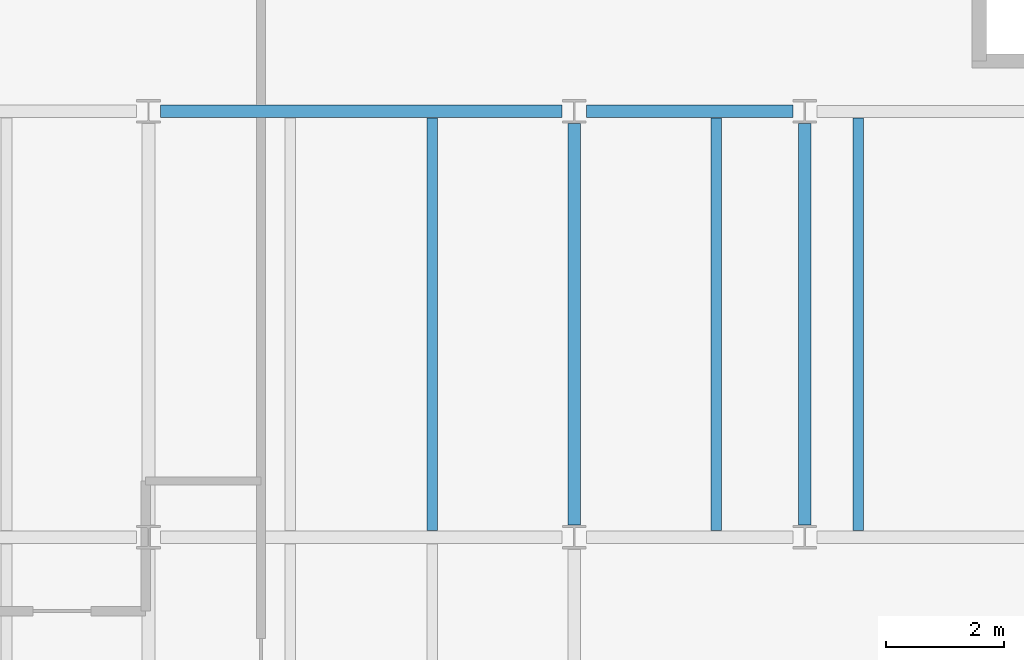
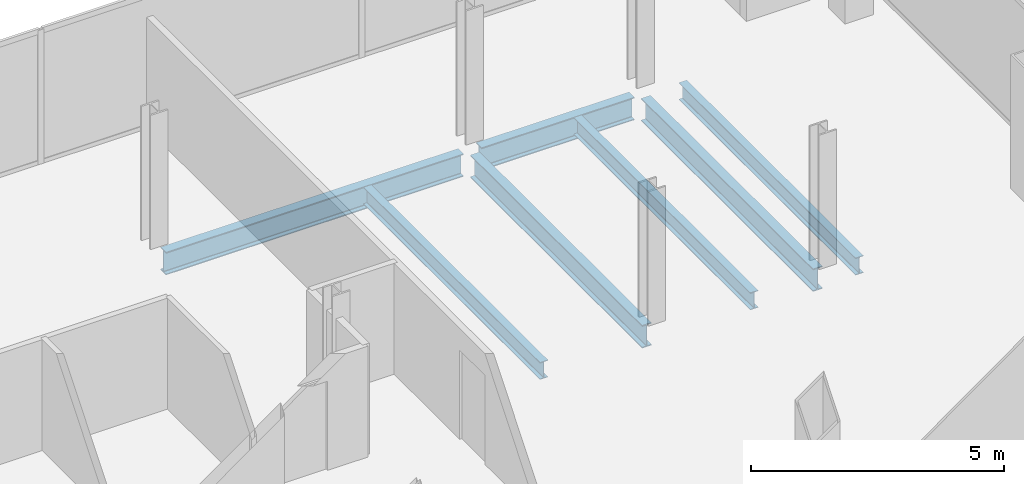
# One storey, part 15 of 23: 7 beams.
"""IFC4 building model written with IfcOpenShell, lengths in metres."""

from ifc_helpers import new_model, si_unit, direction, frame, origin, origin_2d, place, context, subcontext, project, spatial, i_section, extrude, material, material_profile, profile_set, type_object, element, save


model = new_model("IFC4")

# Units and contexts
model_context = context("Model", 3, precision=1e-05, world=origin(), true_north=direction((0.0, 1.0)))
body_context = subcontext(model_context, "Body", "Model", "MODEL_VIEW")
ifc_project = project(units=[si_unit("LENGTHUNIT", "METRE"), si_unit("AREAUNIT", "SQUARE_METRE"), si_unit("VOLUMEUNIT", "CUBIC_METRE"), si_unit("PLANEANGLEUNIT", "RADIAN"), si_unit("MASSUNIT", "GRAM", prefix="KILO")], contexts=[model_context])

# Site, building, storey
site_placement = place(None, origin())
site = spatial("IfcSite", under=ifc_project, at=site_placement, CompositionType="ELEMENT")
building_placement = place(site_placement, origin())
building = spatial("IfcBuilding", under=site, at=building_placement, Name="Cobrela Telecom Tower", CompositionType="ELEMENT")
storey_placement = place(building_placement, frame((0.0, 0.0, 276.14990234375)))
storey = spatial("IfcBuildingStorey", under=building, at=storey_placement, Name="L72", CompositionType="ELEMENT", Elevation=276.14990234375)

# Beams
ifc_material = material(Name="Steel ASTM A992 Grade 50", Category="steel")
ifc_material_profile_1 = material_profile(ifc_material, i_section(OverallWidth=0.212890625, OverallDepth=0.549072265625, WebThickness=0.0146484375, FlangeThickness=0.023681640625, FilletRadius=0.013916015625, at=origin_2d()), Name="W21X93")
ifc_profile_set_1 = profile_set([ifc_material_profile_1], Name="Steel ASTM A992 Grade 50")
beam_type_1 = type_object("IfcBeamType", Name="BM-GIRD-08", PredefinedType="USERDEFINED", material=ifc_profile_set_1)
beam_1_placement = place(storey_placement, frame((29.00439453125, 21.60009765625, -0.534423828125), z_axis=(1.0, 0.0, 0.0), x_axis=(0.0, 1.0, 0.0)))
element("IfcBeam", 1, at=beam_1_placement, inside=storey, type_object=beam_type_1, Name="L72 Primary Girder X12", ObjectType="GIRDER", PredefinedType="USERDEFINED", context=body_context, shape_type="SweptSolid", body=[
    extrude(i_section(OverallWidth=0.212890625, OverallDepth=0.549072265625, WebThickness=0.0146484375, FlangeThickness=0.023681640625, FilletRadius=0.013916015625, at=origin_2d()), origin(), (0.0, 0.0, 1.0), 6.791015625),
])
beam_2_placement = place(storey_placement, frame((36.20458984375, 21.60009765625, -0.534423828125), z_axis=(1.0, 0.0, 0.0), x_axis=(0.0, 1.0, 0.0)))
element("IfcBeam", 2, at=beam_2_placement, inside=storey, type_object=beam_type_1, Name="L72 Primary Girder X13", ObjectType="GIRDER", PredefinedType="USERDEFINED", context=body_context, shape_type="SweptSolid", body=[
    extrude(i_section(OverallWidth=0.212890625, OverallDepth=0.549072265625, WebThickness=0.0146484375, FlangeThickness=0.023681640625, FilletRadius=0.013916015625, at=origin_2d()), origin(), (0.0, 0.0, 1.0), 3.490966796875),
])
for number, where, z_axis, x_axis, name in (
    (3, (36.0, 14.6044921875, -0.534423828125), (0.0, 1.0, 0.0), (-1.0, 0.0, 0.0), "L72 Primary Girder Y32"),
    (4, (39.89990234375, 14.6044921875, -0.534423828125), (0.0, 1.0, 0.0), (-1.0, 0.0, 0.0), "L72 Primary Girder Y33"),
):
    element("IfcBeam", number, at=place(storey_placement, frame(where, z_axis=z_axis, x_axis=x_axis)), inside=storey, type_object=beam_type_1, Name=name, ObjectType="GIRDER", PredefinedType="USERDEFINED", context=body_context, shape_type="SweptSolid", body=[
        extrude(i_section(OverallWidth=0.212890625, OverallDepth=0.549072265625, WebThickness=0.0146484375, FlangeThickness=0.023681640625, FilletRadius=0.013916015625, at=origin_2d()), origin(), (0.0, 0.0, 1.0), 6.791015625),
    ])
ifc_material_profile_2 = material_profile(ifc_material, i_section(OverallWidth=0.179931640625, OverallDepth=0.4169921875, WebThickness=0.010986328125, FlangeThickness=0.01806640625, FilletRadius=0.011962890625, at=origin_2d()), Name="W16X57")
ifc_profile_set_2 = profile_set([ifc_material_profile_2], Name="Steel ASTM A992 Grade 50")
beam_type_2 = type_object("IfcBeamType", Name="BM-JOIST-04", PredefinedType="JOIST", material=ifc_profile_set_2)
for number, where, z_axis, x_axis, name in (
    (5, (33.60009765625, 14.511474609375, -0.468505859375), (0.0, 1.0, 0.0), (-1.0, 0.0, 0.0), "L72 Secondary Composite Floor Beam J14"),
    (6, (38.39990234375, 14.511474609375, -0.468505859375), (0.0, 1.0, 0.0), (-1.0, 0.0, 0.0), "L72 Secondary Composite Floor Beam J15"),
):
    element("IfcBeam", number, at=place(storey_placement, frame(where, z_axis=z_axis, x_axis=x_axis)), inside=storey, type_object=beam_type_2, Name=name, PredefinedType="JOIST", context=body_context, shape_type="SweptSolid", body=[
        extrude(i_section(OverallWidth=0.179931640625, OverallDepth=0.4169921875, WebThickness=0.010986328125, FlangeThickness=0.01806640625, FilletRadius=0.011962890625, at=origin_2d()), origin(), (0.0, 0.0, 1.0), 6.97705078125),
    ])
beam_3_placement = place(storey_placement, frame((40.800048828125, 14.511474609375, -0.468505859375), z_axis=(0.0, 1.0, 0.0), x_axis=(-1.0, 0.0, 0.0)))
element("IfcBeam", 7, at=beam_3_placement, inside=storey, type_object=beam_type_2, Name="L72 Secondary Composite Floor Beam J16", PredefinedType="JOIST", context=body_context, shape_type="SweptSolid", body=[
    extrude(i_section(OverallWidth=0.179931640625, OverallDepth=0.4169921875, WebThickness=0.010986328125, FlangeThickness=0.01806640625, FilletRadius=0.011962890625, at=origin_2d()), origin(), (0.0, 0.0, 1.0), 6.98095703125),
])

save(model, "model.ifc")
